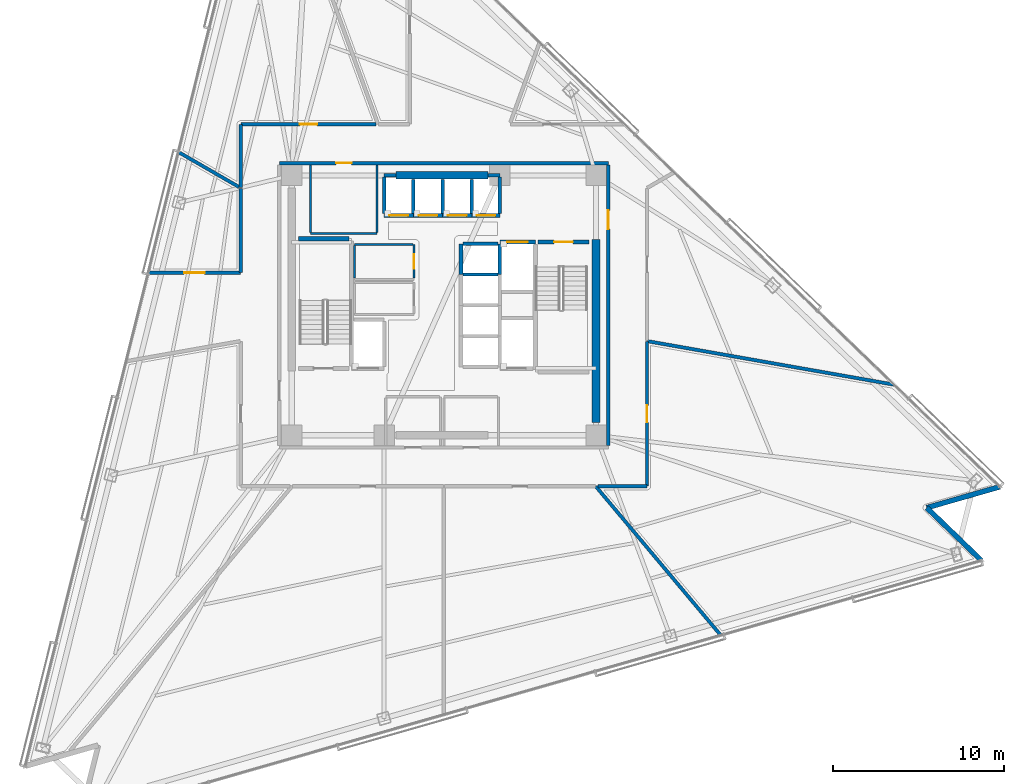
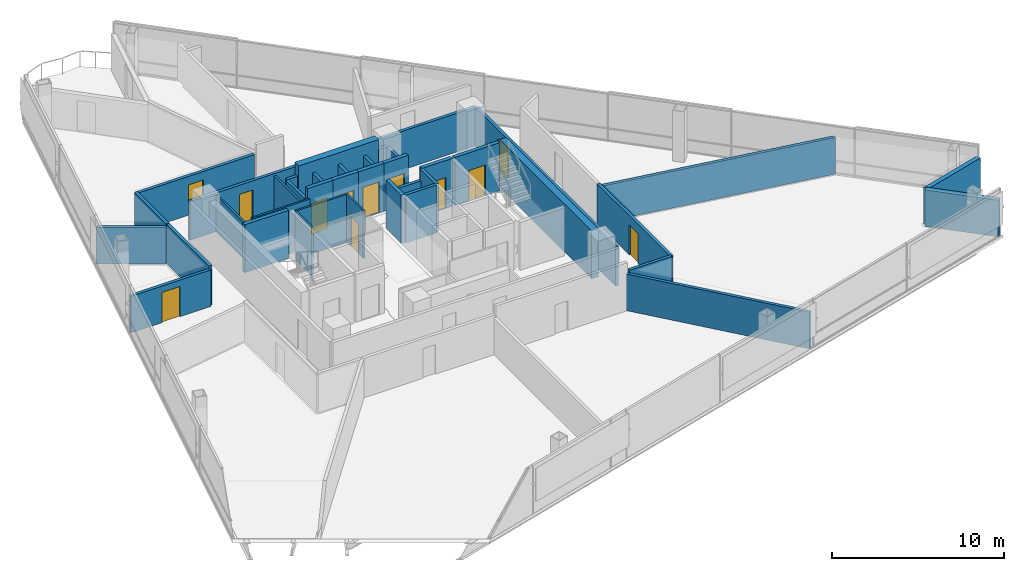
# One storey, part 10 of 19: 39 walls, 12 doors, 12 openings.
"""IFC4 building model written with IfcOpenShell, lengths in metres."""

from ifc_helpers import new_model, si_unit, direction, frame, frame_2d, origin, place, context, subcontext, project, spatial, rectangle, extrude, material, layer, layer_set, type_object, element, fill, save


model = new_model("IFC4")

# Units and contexts
model_context = context("Model", 3, precision=1e-05, world=origin(), true_north=direction((0.0, 1.0)))
body_context = subcontext(model_context, "Body", "Model", "MODEL_VIEW")
ifc_project = project(units=[si_unit("LENGTHUNIT", "METRE"), si_unit("AREAUNIT", "SQUARE_METRE"), si_unit("VOLUMEUNIT", "CUBIC_METRE"), si_unit("PLANEANGLEUNIT", "RADIAN"), si_unit("MASSUNIT", "GRAM", prefix="KILO")], contexts=[model_context])

# Site, building, storey
site_placement = place(None, origin())
site = spatial("IfcSite", under=ifc_project, at=site_placement, CompositionType="ELEMENT")
building_placement = place(site_placement, origin())
building = spatial("IfcBuilding", under=site, at=building_placement, Name="Tharavind Bronze Gate", CompositionType="ELEMENT")
storey_placement = place(building_placement, frame((0.0, 0.0, 89.699951171875)))
storey = spatial("IfcBuildingStorey", under=building, at=storey_placement, Name="L22", CompositionType="ELEMENT", Elevation=89.699951171875)

# Walls
ifc_material_1 = material(Name="Concrete C40/50", Category="concrete")
ifc_layer_1 = layer(ifc_material_1, 0.300048828125)
ifc_layer_set_1 = layer_set([ifc_layer_1], Name="Concrete C40/50")
wall_type_1 = type_object("IfcWallType", Name="EXTERIOR SPANDREL WALL 300", PredefinedType="STANDARD", material=ifc_layer_set_1)
wall_1_placement = place(storey_placement, frame((31.438720703125, -14.926513671875, 0.0), z_axis=(0.0, 0.0, 1.0), x_axis=(-0.719317126864, 0.694681848763, 0.0)))
element("IfcWall", 1, at=wall_1_placement, inside=storey, type_object=wall_type_1, Name="L22 notch cheek wall 3A", PredefinedType="STANDARD", context=body_context, shape_type="SweptSolid", body=[
    extrude(rectangle(XDim=4.439697265625, YDim=0.300048828125, at=frame_2d((2.2197265625, 0.0))), origin(), (0.0, 0.0, 1.0), 2.60498046875),
])
wall_2_placement = place(storey_placement, frame((28.2451171875, -11.84228515625, 0.0), z_axis=(0.0, 0.0, 1.0), x_axis=(0.961255810825, 0.275657878821, 0.0)))
element("IfcWall", 2, at=wall_2_placement, inside=storey, type_object=wall_type_1, Name="L22 notch cheek wall 3B", PredefinedType="STANDARD", context=body_context, shape_type="SweptSolid", body=[
    extrude(rectangle(XDim=4.43994140625, YDim=0.300048828125, at=frame_2d((2.219970703125, 0.0))), origin(), (0.0, 0.0, 1.0), 2.60498046875),
])

# Wall, opening, door
ifc_material_2 = material(Name="Aerated Concrete Block", Category="concrete")
ifc_layer_2 = layer(ifc_material_2, 0.199951171875)
ifc_layer_set_2 = layer_set([ifc_layer_2], Name="Aerated Concrete Block")
wall_type_2 = type_object("IfcWallType", Name="FIRE RATED PARTITION 200", PredefinedType="PARTITIONING", material=ifc_layer_set_2)
wall_3_placement = place(storey_placement, frame((9.6201171875, 8.320068359375, 0.0), z_axis=(0.0, 0.0, 1.0), x_axis=(-1.0, 0.0, 0.0)))
wall_3 = element("IfcWall", 3, at=wall_3_placement, inside=storey, type_object=wall_type_2, Name="L22 north core corridor wall", PredefinedType="PARTITIONING", context=body_context, shape_type="SweptSolid", body=[
    extrude(rectangle(XDim=19.240234375, YDim=0.199951171875, at=frame_2d((9.6201171875, 0.0))), origin(), (0.0, 0.0, 1.0), 2.755126953125),
])
opening_1_placement = place(wall_3_placement, frame((15.02001953125, 0.0, 0.0)))
opening_1 = element("IfcOpeningElement", 4, at=opening_1_placement, cuts=wall_3, Name="Opening ID07", PredefinedType="OPENING", context=body_context, shape_type="SweptSolid", body=[
    extrude(rectangle(XDim=0.89990234375, YDim=2.10009765625, at=frame_2d((0.449951171875, 1.050048828125))), frame((0.0, 0.11009765625, 0.0), z_axis=(0.0, -1.0, 0.0), x_axis=(1.0, 0.0, 0.0)), (0.0, 0.0, 1.0), 0.219951171875),
])
ifc_material_3 = material(Name="Galvanised Fire Steel", Category="steel")
door_type_1 = type_object("IfcDoorType", Name="PLANT AND RISER FIRE DOOR 900X2100", OperationType="SINGLE_SWING_LEFT", PredefinedType="DOOR", material=ifc_material_3)
door_1_placement = place(opening_1_placement, frame((0.89990234375, 0.0, 0.0), z_axis=(0.0, 0.0, 1.0), x_axis=(-1.0, 0.0, 0.0)))
door_1 = element("IfcDoor", 5, at=door_1_placement, inside=storey, type_object=door_type_1, Name="L22 Electrical Switch Room fire door", OperationType="SINGLE_SWING_LEFT", OverallHeight=2.10009765625, OverallWidth=0.89990234375, PredefinedType="DOOR", context=body_context, shape_type="SweptSolid", body=[
    extrude(rectangle(XDim=0.89990234375, YDim=2.10009765625, at=frame_2d((0.449951171875, 1.050048828125))), frame((0.0, 0.02490234375, 0.0), z_axis=(0.0, -1.0, 0.0), x_axis=(1.0, 0.0, 0.0)), (0.0, 0.0, 1.0), 0.050048828125),
])
fill(opening_1, door_1)

wall_4_placement = place(storey_placement, frame((9.6201171875, -8.199951171875, 0.0), z_axis=(0.0, 0.0, 1.0), x_axis=(0.0, 1.0, 0.0)))
wall_4 = element("IfcWall", 6, at=wall_4_placement, inside=storey, type_object=wall_type_2, Name="L22 east core corridor wall", PredefinedType="PARTITIONING", context=body_context, shape_type="SweptSolid", body=[
    extrude(rectangle(XDim=16.39990234375, YDim=0.199951171875, at=frame_2d((8.199951171875, 0.0))), origin(), (0.0, 0.0, 1.0), 2.804931640625),
])
opening_2_placement = place(wall_4_placement, frame((12.64990234375, 0.0, 0.0)))
opening_2 = element("IfcOpeningElement", 7, at=opening_2_placement, cuts=wall_4, Name="Opening ID01", PredefinedType="OPENING", context=body_context, shape_type="SweptSolid", body=[
    extrude(rectangle(XDim=1.10009765625, YDim=2.14990234375, at=frame_2d((0.550048828125, 1.074951171875))), frame((0.0, 0.11009765625, 0.0), z_axis=(0.0, -1.0, 0.0), x_axis=(1.0, 0.0, 0.0)), (0.0, 0.0, 1.0), 0.219951171875),
])
ifc_material_4 = material(Name="Fire-Rated Steel", Category="steel")
door_type_2 = type_object("IfcDoorType", Name="STAIR CORE FIRE DOOR 1100X2150", OperationType="SINGLE_SWING_LEFT", PredefinedType="DOOR", material=ifc_material_4)
door_2_placement = place(opening_2_placement, frame((1.10009765625, 0.0, 0.0), z_axis=(0.0, 0.0, 1.0), x_axis=(-1.0, 0.0, 0.0)))
door_2 = element("IfcDoor", 8, at=door_2_placement, inside=storey, type_object=door_type_2, Name="L22 north east stair lobby fire door", OperationType="SINGLE_SWING_LEFT", OverallHeight=2.14990234375, OverallWidth=1.10009765625, PredefinedType="DOOR", context=body_context, shape_type="SweptSolid", body=[
    extrude(rectangle(XDim=1.10009765625, YDim=2.14990234375, at=frame_2d((0.550048828125, 1.074951171875))), frame((0.0, 0.02490234375, 0.0), z_axis=(0.0, -1.0, 0.0), x_axis=(1.0, 0.0, 0.0)), (0.0, 0.0, 1.0), 0.050048828125),
])
fill(opening_2, door_2)

# Wall
wall_5_placement = place(storey_placement, frame((8.88525390625, -10.5888671875, 0.0), z_axis=(0.0, 0.0, 1.0), x_axis=(0.642785074973, -0.766046569989, 0.0)))
element("IfcWall", 9, at=wall_5_placement, inside=storey, type_object=wall_type_2, Name="L22 Public Restrooms Block partition", PredefinedType="PARTITIONING", context=body_context, shape_type="SweptSolid", body=[
    extrude(rectangle(XDim=11.369140625, YDim=0.199951171875, at=frame_2d((5.6845703125, 0.0))), origin(), (0.0, 0.0, 1.0), 2.60498046875),
])

# Wall, opening, door
wall_6_placement = place(storey_placement, frame((-3.962646484375, 10.580078125, 0.0), z_axis=(0.0, 0.0, 1.0), x_axis=(-1.0, 0.0, 0.0)))
wall_6 = element("IfcWall", 10, at=wall_6_placement, inside=storey, type_object=wall_type_2, Name="L22 Director Office partition", PredefinedType="PARTITIONING", context=body_context, shape_type="SweptSolid", body=[
    extrude(rectangle(XDim=7.916748046875, YDim=0.199951171875, at=frame_2d((3.95849609375, 0.0))), origin(), (0.0, 0.0, 1.0), 2.755126953125),
])
opening_3_placement = place(wall_6_placement, frame((3.4580078125, 0.0, 0.0)))
opening_3 = element("IfcOpeningElement", 11, at=opening_3_placement, cuts=wall_6, Name="Opening ID04", PredefinedType="OPENING", context=body_context, shape_type="SweptSolid", body=[
    extrude(rectangle(XDim=1.0, YDim=2.14990234375, at=frame_2d((0.5, 1.074951171875))), frame((0.0, 0.11009765625, 0.0), z_axis=(0.0, -1.0, 0.0), x_axis=(1.0, 0.0, 0.0)), (0.0, 0.0, 1.0), 0.219951171875),
])
ifc_material_5 = material(Name="Bronze Framed Acoustic Timber", Category="wood")
door_type_3 = type_object("IfcDoorType", Name="OFFICE TENANCY DOOR 1000X2150", OperationType="SINGLE_SWING_RIGHT", PredefinedType="DOOR", material=ifc_material_5)
door_3_placement = place(opening_3_placement, origin())
door_3 = element("IfcDoor", 12, at=door_3_placement, inside=storey, type_object=door_type_3, Name="L22 Director Office door", OperationType="SINGLE_SWING_RIGHT", OverallHeight=2.14990234375, OverallWidth=1.0, PredefinedType="DOOR", context=body_context, shape_type="SweptSolid", body=[
    extrude(rectangle(XDim=1.0, YDim=2.14990234375, at=frame_2d((0.5, 1.074951171875))), frame((0.0, 0.02490234375, 0.0), z_axis=(0.0, -1.0, 0.0), x_axis=(1.0, 0.0, 0.0)), (0.0, 0.0, 1.0), 0.050048828125),
])
fill(opening_3, door_3)

# Walls
wall_7_placement = place(storey_placement, frame((-11.8798828125, 10.579345703125, 0.0), z_axis=(0.0, 0.0, 1.0), x_axis=(0.0, -1.0, 0.0)))
element("IfcWall", 13, at=wall_7_placement, inside=storey, type_object=wall_type_2, Name="L22 Director Office partition", PredefinedType="PARTITIONING", context=body_context, shape_type="SweptSolid", body=[
    extrude(rectangle(XDim=3.67724609375, YDim=0.199951171875, at=frame_2d((1.838623046875, 0.0))), origin(), (0.0, 0.0, 1.0), 2.804931640625),
])
wall_8_placement = place(storey_placement, frame((-11.985107421875, 6.919677734375, 0.0), z_axis=(0.0, 0.0, 1.0), x_axis=(-0.866029956157, 0.499992114976, 0.0)))
element("IfcWall", 14, at=wall_8_placement, inside=storey, type_object=wall_type_2, Name="L22 Director Office partition", PredefinedType="PARTITIONING", context=body_context, shape_type="SweptSolid", body=[
    extrude(rectangle(XDim=4.0751953125, YDim=0.199951171875, at=frame_2d((2.03759765625, 0.0))), origin(), (0.0, 0.0, 1.0), 2.60498046875),
])
wall_9_placement = place(storey_placement, frame((-11.8798828125, 6.844482421875, 0.0), z_axis=(0.0, 0.0, 1.0), x_axis=(0.0, -1.0, 0.0)))
element("IfcWall", 15, at=wall_9_placement, inside=storey, type_object=wall_type_2, Name="L22 Project Seminar Room partition", PredefinedType="PARTITIONING", context=body_context, shape_type="SweptSolid", body=[
    extrude(rectangle(XDim=4.91943359375, YDim=0.199951171875, at=frame_2d((2.459716796875, 0.0))), origin(), (0.0, 0.0, 1.0), 2.804931640625),
])

# Wall, opening, door
wall_10_placement = place(storey_placement, frame((-11.905029296875, 1.89990234375, 0.0), z_axis=(0.0, 0.0, 1.0), x_axis=(-1.0, 0.0, 0.0)))
wall_10 = element("IfcWall", 16, at=wall_10_placement, inside=storey, type_object=wall_type_2, Name="L22 Project Seminar Room partition", PredefinedType="PARTITIONING", context=body_context, shape_type="SweptSolid", body=[
    extrude(rectangle(XDim=5.3876953125, YDim=0.199951171875, at=frame_2d((2.69384765625, 0.0))), origin(), (0.0, 0.0, 1.0), 2.60498046875),
])
opening_4_placement = place(wall_10_placement, frame((2.093994140625, 0.0, 0.0)))
opening_4 = element("IfcOpeningElement", 17, at=opening_4_placement, cuts=wall_10, Name="Opening ID05", PredefinedType="OPENING", context=body_context, shape_type="SweptSolid", body=[
    extrude(rectangle(XDim=1.199951171875, YDim=2.14990234375, at=frame_2d((0.60009765625, 1.074951171875))), frame((0.0, 0.11009765625, 0.0), z_axis=(0.0, -1.0, 0.0), x_axis=(1.0, 0.0, 0.0)), (0.0, 0.0, 1.0), 0.219951171875),
])
ifc_material_6 = material(Name="Acoustic Laminated Glass", Category="glass")
door_type_4 = type_object("IfcDoorType", Name="MEETING ROOM GLAZED DOOR 1200X2150", OperationType="SINGLE_SWING_LEFT", PredefinedType="DOOR", material=ifc_material_6)
door_4_placement = place(opening_4_placement, origin())
door_4 = element("IfcDoor", 18, at=door_4_placement, inside=storey, type_object=door_type_4, Name="L22 Project Seminar Room door", OperationType="SINGLE_SWING_LEFT", OverallHeight=2.14990234375, OverallWidth=1.199951171875, PredefinedType="DOOR", context=body_context, shape_type="SweptSolid", body=[
    extrude(rectangle(XDim=1.199951171875, YDim=2.14990234375, at=frame_2d((0.60009765625, 1.074951171875))), frame((0.0, 0.02490234375, 0.0), z_axis=(0.0, -1.0, 0.0), x_axis=(1.0, 0.0, 0.0)), (0.0, 0.0, 1.0), 0.050048828125),
])
fill(opening_4, door_4)

wall_11_placement = place(storey_placement, frame((11.8798828125, -10.579345703125, 0.0), z_axis=(0.0, 0.0, 1.0), x_axis=(0.0, 1.0, 0.0)))
wall_11 = element("IfcWall", 19, at=wall_11_placement, inside=storey, type_object=wall_type_2, Name="L22 Design Workshop partition", PredefinedType="PARTITIONING", context=body_context, shape_type="SweptSolid", body=[
    extrude(rectangle(XDim=8.454833984375, YDim=0.199951171875, at=frame_2d((4.2275390625, 0.0))), origin(), (0.0, 0.0, 1.0), 2.804931640625),
])
opening_5_placement = place(wall_11_placement, frame((3.72705078125, 0.0, 0.0)))
opening_5 = element("IfcOpeningElement", 20, at=opening_5_placement, cuts=wall_11, Name="Opening ID04", PredefinedType="OPENING", context=body_context, shape_type="SweptSolid", body=[
    extrude(rectangle(XDim=1.0, YDim=2.14990234375, at=frame_2d((0.5, 1.074951171875))), frame((0.0, 0.11009765625, 0.0), z_axis=(0.0, -1.0, 0.0), x_axis=(1.0, 0.0, 0.0)), (0.0, 0.0, 1.0), 0.219951171875),
])
door_5_placement = place(opening_5_placement, origin())
door_5 = element("IfcDoor", 21, at=door_5_placement, inside=storey, type_object=door_type_3, Name="L22 Design Workshop door", OperationType="SINGLE_SWING_RIGHT", OverallHeight=2.14990234375, OverallWidth=1.0, PredefinedType="DOOR", context=body_context, shape_type="SweptSolid", body=[
    extrude(rectangle(XDim=1.0, YDim=2.14990234375, at=frame_2d((0.5, 1.074951171875))), frame((0.0, 0.02490234375, 0.0), z_axis=(0.0, -1.0, 0.0), x_axis=(1.0, 0.0, 0.0)), (0.0, 0.0, 1.0), 0.050048828125),
])
fill(opening_5, door_5)

# Walls
wall_12_placement = place(storey_placement, frame((11.9091796875, -2.099853515625, 0.0), z_axis=(0.0, 0.0, 1.0), x_axis=(0.984806062871, -0.173657762662, 0.0)))
element("IfcWall", 22, at=wall_12_placement, inside=storey, type_object=wall_type_2, Name="L22 Design Workshop partition", PredefinedType="PARTITIONING", context=body_context, shape_type="SweptSolid", body=[
    extrude(rectangle(XDim=14.62939453125, YDim=0.199951171875, at=frame_2d((7.314697265625, 0.0))), origin(), (0.0, 0.0, 1.0), 2.60498046875),
])
wall_13_placement = place(storey_placement, frame((9.014892578125, -10.580078125, 0.0), z_axis=(0.0, 0.0, 1.0), x_axis=(1.0, 0.0, 0.0)))
element("IfcWall", 23, at=wall_13_placement, inside=storey, type_object=wall_type_2, Name="L22 Design Workshop partition", PredefinedType="PARTITIONING", context=body_context, shape_type="SweptSolid", body=[
    extrude(rectangle(XDim=2.864501953125, YDim=0.199951171875, at=frame_2d((1.43212890625, 0.0))), origin(), (0.0, 0.0, 1.0), 2.804931640625),
])

# Wall, opening, door
ifc_material_7 = material(Name="Metal Stud Gypsum Partition", Category="gypsum")
ifc_layer_3 = layer(ifc_material_7, 0.1201171875)
ifc_layer_set_3 = layer_set([ifc_layer_3], Name="Metal Stud Gypsum Partition")
wall_type_3 = type_object("IfcWallType", Name="INTERIOR PARTITION WALL 120", PredefinedType="PARTITIONING", material=ifc_layer_set_3)
wall_14_placement = place(storey_placement, frame((-1.75, 1.5849609375, 0.0), z_axis=(0.0, 0.0, 1.0), x_axis=(0.0, 1.0, 0.0)))
wall_14 = element("IfcWall", 24, at=wall_14_placement, inside=storey, type_object=wall_type_3, Name="L22 Cleaner Store Room partition 2", PredefinedType="PARTITIONING", context=body_context, shape_type="SweptSolid", body=[
    extrude(rectangle(XDim=1.965087890625, YDim=0.1201171875, at=frame_2d((0.982421875, 0.0))), origin(), (0.0, 0.0, 1.0), 3.41015625),
])
opening_6_placement = place(wall_14_placement, frame((0.556884765625, 0.0, 0.0)))
opening_6 = element("IfcOpeningElement", 25, at=opening_6_placement, cuts=wall_14, Name="Opening ID06", PredefinedType="OPENING", context=body_context, shape_type="SweptSolid", body=[
    extrude(rectangle(XDim=0.85009765625, YDim=2.10009765625, at=frame_2d((0.425048828125, 1.050048828125))), frame((0.0, 0.07005859375, 0.0), z_axis=(0.0, -1.0, 0.0), x_axis=(1.0, 0.0, 0.0)), (0.0, 0.0, 1.0), 0.1401171875),
])
ifc_material_8 = material(Name="Moisture-Resistant Timber", Category="wood")
door_type_5 = type_object("IfcDoorType", Name="BATHROOM PRIVACY DOOR 850X2100", OperationType="SINGLE_SWING_RIGHT", PredefinedType="DOOR", material=ifc_material_8)
door_6_placement = place(opening_6_placement, frame((0.85009765625, 0.0, 0.0), z_axis=(0.0, 0.0, 1.0), x_axis=(-1.0, 0.0, 0.0)))
door_6 = element("IfcDoor", 26, at=door_6_placement, inside=storey, type_object=door_type_5, Name="L22 Cleaner Store Room door", OperationType="SINGLE_SWING_RIGHT", OverallHeight=2.10009765625, OverallWidth=0.85009765625, PredefinedType="DOOR", context=body_context, shape_type="SweptSolid", body=[
    extrude(rectangle(XDim=0.85009765625, YDim=2.10009765625, at=frame_2d((0.425048828125, 1.050048828125))), frame((0.0, 0.02490234375, 0.0), z_axis=(0.0, -1.0, 0.0), x_axis=(1.0, 0.0, 0.0)), (0.0, 0.0, 1.0), 0.050048828125),
])
fill(opening_6, door_6)

# Walls
wall_15_placement = place(storey_placement, frame((-1.81494140625, 3.550048828125, 0.0), z_axis=(0.0, 0.0, 1.0), x_axis=(-1.0, 0.0, 0.0)))
element("IfcWall", 27, at=wall_15_placement, inside=storey, type_object=wall_type_3, Name="L22 Cleaner Store Room partition 3", PredefinedType="PARTITIONING", context=body_context, shape_type="SweptSolid", body=[
    extrude(rectangle(XDim=3.405029296875, YDim=0.1201171875, at=frame_2d((1.70263671875, 0.0))), origin(), (0.0, 0.0, 1.0), 3.41015625),
])
wall_16_placement = place(storey_placement, frame((-5.219970703125, 3.485107421875, 0.0), z_axis=(0.0, 0.0, 1.0), x_axis=(0.0, -1.0, 0.0)))
element("IfcWall", 28, at=wall_16_placement, inside=storey, type_object=wall_type_3, Name="L22 Cleaner Store Room partition 4", PredefinedType="PARTITIONING", context=body_context, shape_type="SweptSolid", body=[
    extrude(rectangle(XDim=1.900146484375, YDim=0.1201171875, at=frame_2d((0.9501953125, 0.0))), origin(), (0.0, 0.0, 1.0), 3.41015625),
])
wall_17_placement = place(storey_placement, frame((-7.800048828125, 4.199951171875, 0.0), z_axis=(0.0, 0.0, 1.0), x_axis=(1.0, 0.0, 0.0)))
element("IfcWall", 29, at=wall_17_placement, inside=storey, type_object=wall_type_3, Name="L22 Electrical Switch Room partition 1", PredefinedType="PARTITIONING", context=body_context, shape_type="SweptSolid", body=[
    extrude(rectangle(XDim=3.900146484375, YDim=0.1201171875, at=frame_2d((1.9501953125, 0.0))), origin(), (0.0, 0.0, 1.0), 3.41015625),
])
for number, where, z_axis, x_axis, name in (
    (30, (-3.89990234375, 4.264892578125, 0.0), (0.0, 0.0, 1.0), (0.0, 1.0, 0.0), "L22 Electrical Switch Room partition 2"),
    (31, (-7.800048828125, 8.215087890625, 0.0), (0.0, 0.0, 1.0), (0.0, -1.0, 0.0), "L22 Electrical Switch Room partition 4"),
):
    element("IfcWall", number, at=place(storey_placement, frame(where, z_axis=z_axis, x_axis=x_axis)), inside=storey, type_object=wall_type_3, Name=name, PredefinedType="PARTITIONING", context=body_context, shape_type="SweptSolid", body=[
        extrude(rectangle(XDim=3.9501953125, YDim=0.1201171875, at=frame_2d((1.97509765625, 0.0))), origin(), (0.0, 0.0, 1.0), 2.60498046875),
    ])
ifc_material_9 = material(Name="Concrete C50/60", Category="concrete")
ifc_layer_4 = layer(ifc_material_9, 0.25)
ifc_layer_set_4 = layer_set([ifc_layer_4], Name="Concrete C50/60")
wall_type_4 = type_object("IfcWallType", Name="RC CORE SHEAR WALL 250", PredefinedType="SHEAR", material=ifc_layer_set_4)
wall_18_placement = place(storey_placement, frame((-8.5, 3.89990234375, 0.0), z_axis=(0.0, 0.0, 1.0), x_axis=(1.0, 0.0, 0.0)))
element("IfcWall", 32, at=wall_18_placement, inside=storey, type_object=wall_type_4, Name="L22 ST1 shaft north wall", PredefinedType="SHEAR", context=body_context, shape_type="SweptSolid", body=[
    extrude(rectangle(XDim=2.949951171875, YDim=0.25, at=frame_2d((1.47509765625, 0.0))), origin(), (0.0, 0.0, 1.0), 3.41015625),
])

# Wall, opening, door
wall_19_placement = place(storey_placement, frame((5.5, 3.699951171875, 0.0), z_axis=(0.0, 0.0, 1.0), x_axis=(1.0, 0.0, 0.0)))
wall_19 = element("IfcWall", 33, at=wall_19_placement, inside=storey, type_object=wall_type_4, Name="L22 ST2 shaft north wall", PredefinedType="SHEAR", context=body_context, shape_type="SweptSolid", body=[
    extrude(rectangle(XDim=3.0, YDim=0.25, at=frame_2d((1.5, 0.0))), origin(), (0.0, 0.0, 1.0), 3.41015625),
])
opening_7_placement = place(wall_19_placement, frame((0.949951171875, 0.0, 0.0)))
opening_7 = element("IfcOpeningElement", 34, at=opening_7_placement, cuts=wall_19, Name="Opening ID01", PredefinedType="OPENING", context=body_context, shape_type="SweptSolid", body=[
    extrude(rectangle(XDim=1.10009765625, YDim=2.14990234375, at=frame_2d((0.550048828125, 1.074951171875))), frame((0.0, 0.135, 0.0), z_axis=(0.0, -1.0, 0.0), x_axis=(1.0, 0.0, 0.0)), (0.0, 0.0, 1.0), 0.27),
])
door_7_placement = place(opening_7_placement, frame((1.10009765625, 0.0, 0.0), z_axis=(0.0, 0.0, 1.0), x_axis=(-1.0, 0.0, 0.0)))
door_7 = element("IfcDoor", 35, at=door_7_placement, inside=storey, type_object=door_type_2, Name="L22 exit stair ST2 fire door", OperationType="SINGLE_SWING_LEFT", OverallHeight=2.14990234375, OverallWidth=1.10009765625, PredefinedType="DOOR", context=body_context, shape_type="SweptSolid", body=[
    extrude(rectangle(XDim=1.10009765625, YDim=2.14990234375, at=frame_2d((0.550048828125, 1.074951171875))), frame((0.0, 0.02490234375, 0.0), z_axis=(0.0, -1.0, 0.0), x_axis=(1.0, 0.0, 0.0)), (0.0, 0.0, 1.0), 0.050048828125),
])
fill(opening_7, door_7)

wall_20_placement = place(storey_placement, frame((-3.5, 5.25, 0.0), z_axis=(0.0, 0.0, 1.0), x_axis=(1.0, 0.0, 0.0)))
wall_20 = element("IfcWall", 36, at=wall_20_placement, inside=storey, type_object=wall_type_4, Name="L22 lift PL5 shaft front wall", PredefinedType="SHEAR", context=body_context, shape_type="SweptSolid", body=[
    extrude(rectangle(XDim=1.71240234375, YDim=0.25, at=frame_2d((0.856201171875, 0.0))), origin(), (0.0, 0.0, 1.0), 3.41015625),
])
opening_8_placement = place(wall_20_placement, frame((0.305908203125, 0.0, 0.0)))
opening_8 = element("IfcOpeningElement", 37, at=opening_8_placement, cuts=wall_20, Name="Opening LD01", PredefinedType="OPENING", context=body_context, shape_type="SweptSolid", body=[
    extrude(rectangle(XDim=1.10009765625, YDim=2.199951171875, at=frame_2d((0.550048828125, 1.10009765625))), frame((0.0, 0.135, 0.0), z_axis=(0.0, -1.0, 0.0), x_axis=(1.0, 0.0, 0.0)), (0.0, 0.0, 1.0), 0.27),
])
ifc_material_10 = material(Name="Brushed Bronze Stainless Steel", Category="steel")
door_type_6 = type_object("IfcDoorType", Name="LIFT LANDING SLIDING DOOR 1100X2200", OperationType="SLIDING_TO_LEFT", PredefinedType="DOOR", material=ifc_material_10)
door_8_placement = place(opening_8_placement, origin())
door_8 = element("IfcDoor", 38, at=door_8_placement, inside=storey, type_object=door_type_6, Name="L22 lift PL5 sliding landing door", OperationType="SLIDING_TO_LEFT", OverallHeight=2.199951171875, OverallWidth=1.10009765625, PredefinedType="DOOR", context=body_context, shape_type="SweptSolid", body=[
    extrude(rectangle(XDim=1.10009765625, YDim=2.199951171875, at=frame_2d((0.550048828125, 1.10009765625))), frame((0.0, 0.02490234375, 0.0), z_axis=(0.0, -1.0, 0.0), x_axis=(1.0, 0.0, 0.0)), (0.0, 0.0, 1.0), 0.050048828125),
])
fill(opening_8, door_8)

wall_21_placement = place(storey_placement, frame((-1.78759765625, 5.25, 0.0), z_axis=(0.0, 0.0, 1.0), x_axis=(1.0, 0.0, 0.0)))
wall_21 = element("IfcWall", 39, at=wall_21_placement, inside=storey, type_object=wall_type_4, Name="L22 lift PL6 shaft front wall", PredefinedType="SHEAR", context=body_context, shape_type="SweptSolid", body=[
    extrude(rectangle(XDim=1.712646484375, YDim=0.25, at=frame_2d((0.8564453125, 0.0))), origin(), (0.0, 0.0, 1.0), 3.41015625),
])
opening_9_placement = place(wall_21_placement, frame((0.305908203125, 0.0, 0.0)))
opening_9 = element("IfcOpeningElement", 40, at=opening_9_placement, cuts=wall_21, Name="Opening LD01", PredefinedType="OPENING", context=body_context, shape_type="SweptSolid", body=[
    extrude(rectangle(XDim=1.10009765625, YDim=2.199951171875, at=frame_2d((0.550048828125, 1.10009765625))), frame((0.0, 0.135, 0.0), z_axis=(0.0, -1.0, 0.0), x_axis=(1.0, 0.0, 0.0)), (0.0, 0.0, 1.0), 0.27),
])
door_9_placement = place(opening_9_placement, origin())
door_9 = element("IfcDoor", 41, at=door_9_placement, inside=storey, type_object=door_type_6, Name="L22 lift PL6 sliding landing door", OperationType="SLIDING_TO_LEFT", OverallHeight=2.199951171875, OverallWidth=1.10009765625, PredefinedType="DOOR", context=body_context, shape_type="SweptSolid", body=[
    extrude(rectangle(XDim=1.10009765625, YDim=2.199951171875, at=frame_2d((0.550048828125, 1.10009765625))), frame((0.0, 0.02490234375, 0.0), z_axis=(0.0, -1.0, 0.0), x_axis=(1.0, 0.0, 0.0)), (0.0, 0.0, 1.0), 0.050048828125),
])
fill(opening_9, door_9)

wall_22_placement = place(storey_placement, frame((-0.074951171875, 5.25, 0.0), z_axis=(0.0, 0.0, 1.0), x_axis=(1.0, 0.0, 0.0)))
wall_22 = element("IfcWall", 42, at=wall_22_placement, inside=storey, type_object=wall_type_4, Name="L22 lift PL7 shaft front wall", PredefinedType="SHEAR", context=body_context, shape_type="SweptSolid", body=[
    extrude(rectangle(XDim=1.71240234375, YDim=0.25, at=frame_2d((0.856201171875, 0.0))), origin(), (0.0, 0.0, 1.0), 3.41015625),
])
opening_10_placement = place(wall_22_placement, frame((0.305908203125, 0.0, 0.0)))
opening_10 = element("IfcOpeningElement", 43, at=opening_10_placement, cuts=wall_22, Name="Opening LD01", PredefinedType="OPENING", context=body_context, shape_type="SweptSolid", body=[
    extrude(rectangle(XDim=1.10009765625, YDim=2.199951171875, at=frame_2d((0.550048828125, 1.10009765625))), frame((0.0, 0.135, 0.0), z_axis=(0.0, -1.0, 0.0), x_axis=(1.0, 0.0, 0.0)), (0.0, 0.0, 1.0), 0.27),
])
door_10_placement = place(opening_10_placement, origin())
door_10 = element("IfcDoor", 44, at=door_10_placement, inside=storey, type_object=door_type_6, Name="L22 lift PL7 sliding landing door", OperationType="SLIDING_TO_LEFT", OverallHeight=2.199951171875, OverallWidth=1.10009765625, PredefinedType="DOOR", context=body_context, shape_type="SweptSolid", body=[
    extrude(rectangle(XDim=1.10009765625, YDim=2.199951171875, at=frame_2d((0.550048828125, 1.10009765625))), frame((0.0, 0.02490234375, 0.0), z_axis=(0.0, -1.0, 0.0), x_axis=(1.0, 0.0, 0.0)), (0.0, 0.0, 1.0), 0.050048828125),
])
fill(opening_10, door_10)

wall_23_placement = place(storey_placement, frame((1.637451171875, 5.25, 0.0), z_axis=(0.0, 0.0, 1.0), x_axis=(1.0, 0.0, 0.0)))
wall_23 = element("IfcWall", 45, at=wall_23_placement, inside=storey, type_object=wall_type_4, Name="L22 lift PL8 shaft front wall", PredefinedType="SHEAR", context=body_context, shape_type="SweptSolid", body=[
    extrude(rectangle(XDim=1.642578125, YDim=0.25, at=frame_2d((0.8212890625, 0.0))), origin(), (0.0, 0.0, 1.0), 3.41015625),
])
opening_11_placement = place(wall_23_placement, frame((0.27099609375, 0.0, 0.0)))
opening_11 = element("IfcOpeningElement", 46, at=opening_11_placement, cuts=wall_23, Name="Opening LD01", PredefinedType="OPENING", context=body_context, shape_type="SweptSolid", body=[
    extrude(rectangle(XDim=1.10009765625, YDim=2.199951171875, at=frame_2d((0.550048828125, 1.10009765625))), frame((0.0, 0.135, 0.0), z_axis=(0.0, -1.0, 0.0), x_axis=(1.0, 0.0, 0.0)), (0.0, 0.0, 1.0), 0.27),
])
door_11_placement = place(opening_11_placement, origin())
door_11 = element("IfcDoor", 47, at=door_11_placement, inside=storey, type_object=door_type_6, Name="L22 lift PL8 sliding landing door", OperationType="SLIDING_TO_LEFT", OverallHeight=2.199951171875, OverallWidth=1.10009765625, PredefinedType="DOOR", context=body_context, shape_type="SweptSolid", body=[
    extrude(rectangle(XDim=1.10009765625, YDim=2.199951171875, at=frame_2d((0.550048828125, 1.10009765625))), frame((0.0, 0.02490234375, 0.0), z_axis=(0.0, -1.0, 0.0), x_axis=(1.0, 0.0, 0.0)), (0.0, 0.0, 1.0), 0.050048828125),
])
fill(opening_11, door_11)

# Wall
wall_24_placement = place(storey_placement, frame((1.0, 1.800048828125, 0.0), z_axis=(0.0, 0.0, 1.0), x_axis=(0.0, 1.0, 0.0)))
element("IfcWall", 48, at=wall_24_placement, inside=storey, type_object=wall_type_4, Name="L22 lift PL12 shaft front wall", PredefinedType="SHEAR", context=body_context, shape_type="SweptSolid", body=[
    extrude(rectangle(XDim=1.800048828125, YDim=0.25, at=frame_2d((0.89990234375, 0.0))), origin(), (0.0, 0.0, 1.0), 3.41015625),
])

# Wall, opening, door
wall_25_placement = place(storey_placement, frame((3.280029296875, 3.699951171875, 0.0), z_axis=(0.0, 0.0, 1.0), x_axis=(1.0, 0.0, 0.0)))
wall_25 = element("IfcWall", 49, at=wall_25_placement, inside=storey, type_object=wall_type_4, Name="L22 lift FFL2 shaft front wall", PredefinedType="SHEAR", context=body_context, shape_type="SweptSolid", body=[
    extrude(rectangle(XDim=2.070068359375, YDim=0.25, at=frame_2d((1.03515625, 0.0))), origin(), (0.0, 0.0, 1.0), 3.41015625),
])
opening_12_placement = place(wall_25_placement, frame((0.43505859375, 0.0, 0.0)))
opening_12 = element("IfcOpeningElement", 50, at=opening_12_placement, cuts=wall_25, Name="Opening LD02", PredefinedType="OPENING", context=body_context, shape_type="SweptSolid", body=[
    extrude(rectangle(XDim=1.199951171875, YDim=2.199951171875, at=frame_2d((0.60009765625, 1.10009765625))), frame((0.0, 0.135, 0.0), z_axis=(0.0, -1.0, 0.0), x_axis=(1.0, 0.0, 0.0)), (0.0, 0.0, 1.0), 0.27),
])
ifc_material_11 = material(Name="Brushed Stainless Steel", Category="steel")
door_type_7 = type_object("IfcDoorType", Name="FIREFIGHTING LIFT LANDING DOOR 1200X2200", OperationType="SLIDING_TO_RIGHT", PredefinedType="DOOR", material=ifc_material_11)
door_12_placement = place(opening_12_placement, origin())
door_12 = element("IfcDoor", 51, at=door_12_placement, inside=storey, type_object=door_type_7, Name="L22 lift FFL2 sliding landing door", OperationType="SLIDING_TO_RIGHT", OverallHeight=2.199951171875, OverallWidth=1.199951171875, PredefinedType="DOOR", context=body_context, shape_type="SweptSolid", body=[
    extrude(rectangle(XDim=1.199951171875, YDim=2.199951171875, at=frame_2d((0.60009765625, 1.10009765625))), frame((0.0, 0.02490234375, 0.0), z_axis=(0.0, -1.0, 0.0), x_axis=(1.0, 0.0, 0.0)), (0.0, 0.0, 1.0), 0.050048828125),
])
fill(opening_12, door_12)

# Walls
ifc_material_12 = material(Name="Concrete C60/75", Category="concrete")
ifc_layer_5 = layer(ifc_material_12, 0.449951171875)
ifc_layer_set_5 = layer_set([ifc_layer_5], Name="Concrete C60/75")
wall_type_5 = type_object("IfcWallType", Name="RC CORE SHEAR WALL 450", PredefinedType="SHEAR", material=ifc_layer_set_5)
wall_26_placement = place(storey_placement, frame((-2.800048828125, 7.60009765625, 0.0), z_axis=(0.0, 0.0, 1.0), x_axis=(1.0, 0.0, 0.0)))
element("IfcWall", 52, at=wall_26_placement, inside=storey, type_object=wall_type_5, Name="L22 north core shear wall", PredefinedType="SHEAR", context=body_context, shape_type="SweptSolid", body=[
    extrude(rectangle(XDim=5.380126953125, YDim=0.449951171875, at=frame_2d((2.68994140625, 0.0))), origin(), (0.0, 0.0, 1.0), 3.41015625),
])
wall_27_placement = place(storey_placement, frame((8.89990234375, -6.85009765625, 0.0), z_axis=(0.0, 0.0, 1.0), x_axis=(0.0, 1.0, 0.0)))
element("IfcWall", 53, at=wall_27_placement, inside=storey, type_object=wall_type_5, Name="L22 east core shear wall", PredefinedType="SHEAR", context=body_context, shape_type="SweptSolid", body=[
    extrude(rectangle(XDim=10.7001953125, YDim=0.449951171875, at=frame_2d((5.35009765625, 0.0))), origin(), (0.0, 0.0, 1.0), 3.41015625),
])
ifc_layer_6 = layer(ifc_material_1, 0.199951171875)
ifc_layer_set_6 = layer_set([ifc_layer_6], Name="Concrete C40/50")
wall_type_6 = type_object("IfcWallType", Name="SHAFT ENCLOSURE WALL 200", PredefinedType="PARTITIONING", material=ifc_layer_set_6)
wall_28_placement = place(storey_placement, frame((-3.5, 7.60009765625, 0.0), z_axis=(0.0, 0.0, 1.0), x_axis=(1.0, 0.0, 0.0)))
element("IfcWall", 54, at=wall_28_placement, inside=storey, type_object=wall_type_6, Name="L22 lift PL5 shaft N enclosure wall", PredefinedType="PARTITIONING", context=body_context, shape_type="SweptSolid", body=[
    extrude(rectangle(XDim=0.699951171875, YDim=0.199951171875, at=frame_2d((0.35009765625, 0.0))), origin(), (0.0, 0.0, 1.0), 2.60498046875),
])
wall_29_placement = place(storey_placement, frame((-3.5, 5.3798828125, 0.0), z_axis=(0.0, 0.0, 1.0), x_axis=(0.0, 1.0, 0.0)))
element("IfcWall", 55, at=wall_29_placement, inside=storey, type_object=wall_type_6, Name="L22 lift PL5 shaft W enclosure wall", PredefinedType="PARTITIONING", context=body_context, shape_type="SweptSolid", body=[
    extrude(rectangle(XDim=2.115234375, YDim=0.199951171875, at=frame_2d((1.0576171875, 0.0))), origin(), (0.0, 0.0, 1.0), 2.60498046875),
])
for number, where, z_axis, x_axis, name in (
    (56, (-1.78759765625, 5.3798828125, 0.0), (0.0, 0.0, 1.0), (0.0, 1.0, 0.0), "L22 lift PL5 shaft E enclosure wall"),
    (57, (-0.074951171875, 5.3798828125, 0.0), (0.0, 0.0, 1.0), (0.0, 1.0, 0.0), "L22 lift PL6 shaft E enclosure wall"),
    (58, (1.637451171875, 5.3798828125, 0.0), (0.0, 0.0, 1.0), (0.0, 1.0, 0.0), "L22 lift PL7 shaft E enclosure wall"),
):
    element("IfcWall", number, at=place(storey_placement, frame(where, z_axis=z_axis, x_axis=x_axis)), inside=storey, type_object=wall_type_6, Name=name, PredefinedType="PARTITIONING", context=body_context, shape_type="SweptSolid", body=[
        extrude(rectangle(XDim=1.990234375, YDim=0.199951171875, at=frame_2d((0.9951171875, 0.0))), origin(), (0.0, 0.0, 1.0), 2.60498046875),
    ])
wall_30_placement = place(storey_placement, frame((2.580078125, 7.60009765625, 0.0), z_axis=(0.0, 0.0, 1.0), x_axis=(1.0, 0.0, 0.0)))
element("IfcWall", 59, at=wall_30_placement, inside=storey, type_object=wall_type_6, Name="L22 lift PL8 shaft N enclosure wall", PredefinedType="PARTITIONING", context=body_context, shape_type="SweptSolid", body=[
    extrude(rectangle(XDim=0.699951171875, YDim=0.199951171875, at=frame_2d((0.35009765625, 0.0))), origin(), (0.0, 0.0, 1.0), 2.60498046875),
])
wall_31_placement = place(storey_placement, frame((3.280029296875, 5.3798828125, 0.0), z_axis=(0.0, 0.0, 1.0), x_axis=(0.0, 1.0, 0.0)))
element("IfcWall", 60, at=wall_31_placement, inside=storey, type_object=wall_type_6, Name="L22 lift PL8 shaft E enclosure wall", PredefinedType="PARTITIONING", context=body_context, shape_type="SweptSolid", body=[
    extrude(rectangle(XDim=2.115234375, YDim=0.199951171875, at=frame_2d((1.0576171875, 0.0))), origin(), (0.0, 0.0, 1.0), 2.60498046875),
])
wall_32_placement = place(storey_placement, frame((1.1298828125, 1.800048828125, 0.0), z_axis=(0.0, 0.0, 1.0), x_axis=(1.0, 0.0, 0.0)))
element("IfcWall", 61, at=wall_32_placement, inside=storey, type_object=wall_type_6, Name="L22 lift PL11 shaft N enclosure wall", PredefinedType="PARTITIONING", context=body_context, shape_type="SweptSolid", body=[
    extrude(rectangle(XDim=2.045166015625, YDim=0.199951171875, at=frame_2d((1.0224609375, 0.0))), origin(), (0.0, 0.0, 1.0), 3.41015625),
])
wall_33_placement = place(storey_placement, frame((3.280029296875, 1.800048828125, 0.0), z_axis=(0.0, 0.0, 1.0), x_axis=(0.0, 1.0, 0.0)))
element("IfcWall", 62, at=wall_33_placement, inside=storey, type_object=wall_type_6, Name="L22 lift PL12 shaft E enclosure wall", PredefinedType="PARTITIONING", context=body_context, shape_type="SweptSolid", body=[
    extrude(rectangle(XDim=1.800048828125, YDim=0.199951171875, at=frame_2d((0.89990234375, 0.0))), origin(), (0.0, 0.0, 1.0), 3.41015625),
])
wall_34_placement = place(storey_placement, frame((1.1298828125, 3.60009765625, 0.0), z_axis=(0.0, 0.0, 1.0), x_axis=(1.0, 0.0, 0.0)))
element("IfcWall", 63, at=wall_34_placement, inside=storey, type_object=wall_type_6, Name="L22 lift PL12 shaft N enclosure wall", PredefinedType="PARTITIONING", context=body_context, shape_type="SweptSolid", body=[
    extrude(rectangle(XDim=2.045166015625, YDim=0.199951171875, at=frame_2d((1.0224609375, 0.0))), origin(), (0.0, 0.0, 1.0), 2.60498046875),
])

save(model, "model.ifc")
